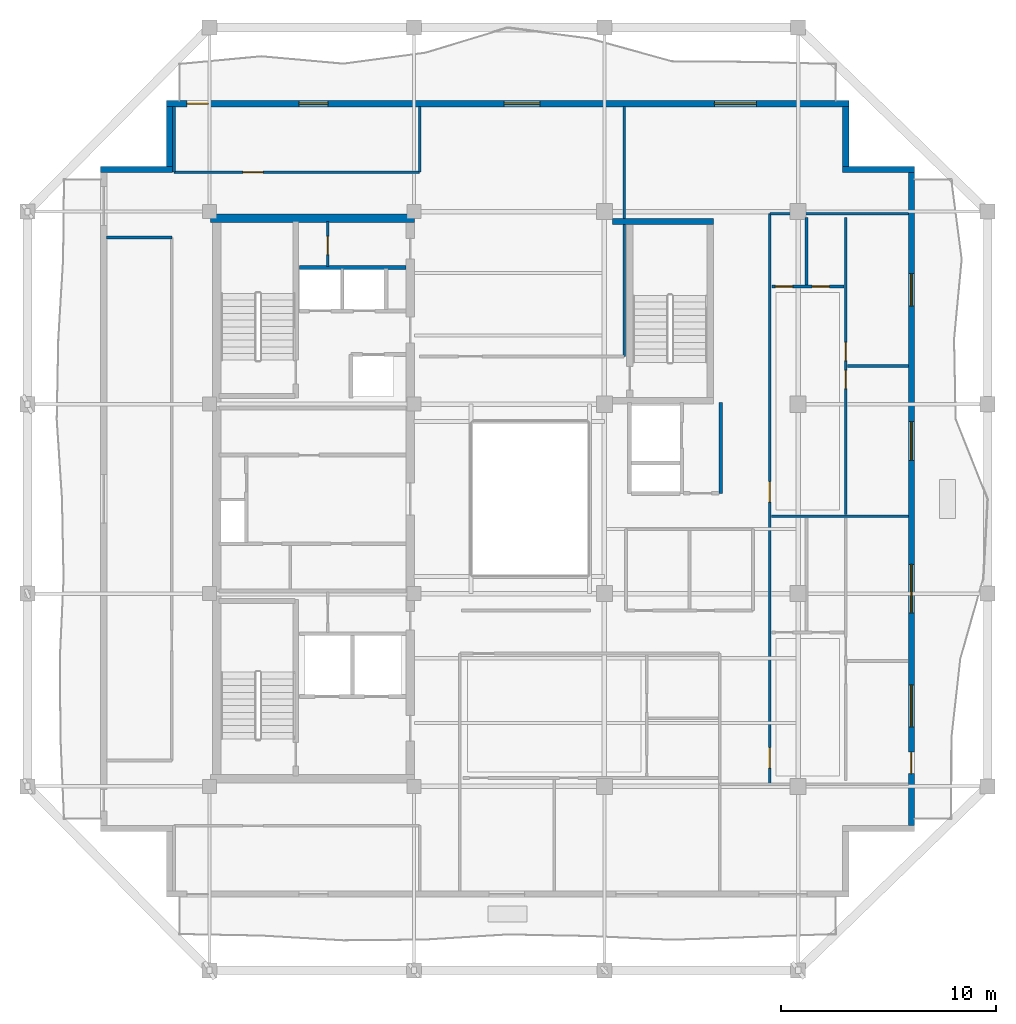
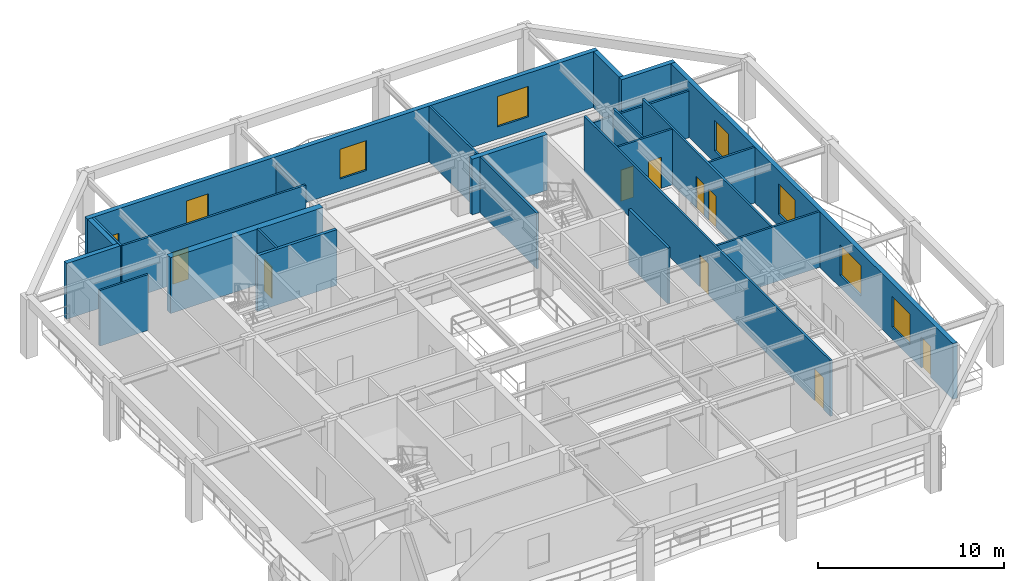
# One storey, part 5 of 10: 23 walls, 10 doors, 7 windows, 17 openings.
"""IFC4 building model written with IfcOpenShell, lengths in metres."""

from ifc_helpers import new_model, si_unit, direction, frame, frame_2d, origin, place, context, subcontext, project, spatial, rectangle, extrude, material, layer, layer_set, type_object, element, fill, save


model = new_model("IFC4")

# Units and contexts
model_context = context("Model", 3, precision=1e-05, world=origin(), true_north=direction((0.0, 1.0)))
body_context = subcontext(model_context, "Body", "Model", "MODEL_VIEW")
ifc_project = project(units=[si_unit("LENGTHUNIT", "METRE"), si_unit("AREAUNIT", "SQUARE_METRE"), si_unit("VOLUMEUNIT", "CUBIC_METRE"), si_unit("PLANEANGLEUNIT", "RADIAN"), si_unit("MASSUNIT", "GRAM", prefix="KILO")], contexts=[model_context])

# Site, building, storey
site_placement = place(None, origin())
site = spatial("IfcSite", under=ifc_project, at=site_placement, CompositionType="ELEMENT")
building_placement = place(site_placement, origin())
building = spatial("IfcBuilding", under=site, at=building_placement, Name="Kundavana Baori Tower", CompositionType="ELEMENT")
storey_placement = place(building_placement, frame((0.0, 0.0, 276.5)))
storey = spatial("IfcBuildingStorey", under=building, at=storey_placement, Name="L68", CompositionType="ELEMENT", Elevation=276.5)

# Wall
ifc_material_1 = material(Name="Concrete C50/60", Category="concrete")
ifc_layer_1 = layer(ifc_material_1, 0.39990234375, Name="WL-CORE-400")
ifc_layer_set_1 = layer_set([ifc_layer_1], Name="Concrete C50/60")
wall_type_1 = type_object("IfcWallType", Name="WL-CORE-400", PredefinedType="SHEAR", material=ifc_layer_set_1)
wall_1_placement = place(storey_placement, frame((15.5, 41.639892578125, 0.0), z_axis=(0.0, 0.0, 1.0), x_axis=(1.0, 0.0, 0.0)))
element("IfcWall", 1, at=wall_1_placement, inside=storey, type_object=wall_type_1, Name="L68 Offset Core North Shear Wall", PredefinedType="SHEAR", context=body_context, shape_type="SweptSolid", body=[
    extrude(rectangle(XDim=9.47998046875, YDim=0.39990234375, at=frame_2d((4.739990234375, 0.0))), origin(), (0.0, 0.0, 1.0), 3.659912109375),
])

# Wall, openings, door, windows
ifc_material_2 = material(Name="Red-Buff Dholpur Sandstone Cladding on Concrete C40/50", Category="masonry")
ifc_layer_2 = layer(ifc_material_2, 0.280029296875, Name="WL-EXT-SAND-280")
ifc_layer_set_2 = layer_set([ifc_layer_2], Name="Red-Buff Dholpur Sandstone Cladding on Concrete C40/50")
wall_type_2 = type_object("IfcWallType", Name="WL-EXT-SAND-280", PredefinedType="STANDARD", material=ifc_layer_set_2)
wall_2_placement = place(storey_placement, frame((48.06005859375, 13.429931640625, 0.0), z_axis=(0.0, 0.0, 1.0), x_axis=(0.0, 1.0, 0.0)))
wall_2 = element("IfcWall", 2, at=wall_2_placement, inside=storey, type_object=wall_type_2, Name="L68 Exterior Insulated Facade Wall 04", PredefinedType="STANDARD", context=body_context, shape_type="SweptSolid", body=[
    extrude(rectangle(XDim=30.340087890625, YDim=0.280029296875, at=frame_2d((15.169921875, 0.0))), origin(), (0.0, 0.0, 1.0), 3.659912109375),
])
opening_1_placement = place(wall_2_placement, frame((2.409912109375, 0.0, 0.0)))
opening_1 = element("IfcOpeningElement", 3, at=opening_1_placement, cuts=wall_2, Name="Opening BD-1", PredefinedType="OPENING", context=body_context, shape_type="SweptSolid", body=[
    extrude(rectangle(XDim=1.0, YDim=2.050048828125, at=frame_2d((0.5, 1.02490234375))), frame((0.0, 0.14990234375, 0.0), z_axis=(0.0, -1.0, 0.0), x_axis=(1.0, 0.0, 0.0)), (0.0, 0.0, 1.0), 0.300048828125),
])
opening_2_placement = place(wall_2_placement, frame((4.580078125, 0.0, 0.800048828125)))
opening_2 = element("IfcOpeningElement", 4, at=opening_2_placement, cuts=wall_2, Name="Opening W-09", PredefinedType="OPENING", context=body_context, shape_type="SweptSolid", body=[
    extrude(rectangle(XDim=1.949951171875, YDim=2.0, at=frame_2d((0.97509765625, 1.0))), frame((0.0, 0.14990234375, 0.0), z_axis=(0.0, -1.0, 0.0), x_axis=(1.0, 0.0, 0.0)), (0.0, 0.0, 1.0), 0.300048828125),
])
opening_3_placement = place(wall_2_placement, frame((9.8798828125, 0.0, 0.800048828125)))
opening_3 = element("IfcOpeningElement", 5, at=opening_3_placement, cuts=wall_2, Name="Opening W-10", PredefinedType="OPENING", context=body_context, shape_type="SweptSolid", body=[
    extrude(rectangle(XDim=2.25, YDim=2.0, at=frame_2d((1.125, 1.0))), frame((0.0, 0.14990234375, 0.0), z_axis=(0.0, -1.0, 0.0), x_axis=(1.0, 0.0, 0.0)), (0.0, 0.0, 1.0), 0.300048828125),
])
opening_4_placement = place(wall_2_placement, frame((16.9580078125, 0.0, 0.800048828125)))
opening_4 = element("IfcOpeningElement", 6, at=opening_4_placement, cuts=wall_2, Name="Opening W-01", PredefinedType="OPENING", context=body_context, shape_type="SweptSolid", body=[
    extrude(rectangle(XDim=1.800048828125, YDim=2.0, at=frame_2d((0.89990234375, 1.0))), frame((0.0, 0.14990234375, 0.0), z_axis=(0.0, -1.0, 0.0), x_axis=(1.0, 0.0, 0.0)), (0.0, 0.0, 1.0), 0.300048828125),
])
opening_5_placement = place(wall_2_placement, frame((24.133056640625, 0.0, 0.800048828125)))
opening_5 = element("IfcOpeningElement", 7, at=opening_5_placement, cuts=wall_2, Name="Opening W-02", PredefinedType="OPENING", context=body_context, shape_type="SweptSolid", body=[
    extrude(rectangle(XDim=1.5, YDim=2.0, at=frame_2d((0.75, 1.0))), frame((0.0, 0.14990234375, 0.0), z_axis=(0.0, -1.0, 0.0), x_axis=(1.0, 0.0, 0.0)), (0.0, 0.0, 1.0), 0.300048828125),
])
ifc_material_3 = material(Name="Architectural Patinated Bronze Metalwork")
door_type_1 = type_object("IfcDoorType", Name="DR-EXT-LOG-1000", OperationType="NOTDEFINED", PredefinedType="DOOR", material=ifc_material_3)
door_1_placement = place(opening_1_placement, frame((1.0, 0.0, 0.0), z_axis=(0.0, 0.0, 1.0), x_axis=(-1.0, 0.0, 0.0)))
door_1 = element("IfcDoor", 8, at=door_1_placement, inside=storey, type_object=door_type_1, Name="L68 Loggia Balcony Access Door E", OperationType="SINGLE_SWING_RIGHT", OverallHeight=2.050048828125, OverallWidth=1.0, PredefinedType="DOOR", context=body_context, shape_type="SweptSolid", body=[
    extrude(rectangle(XDim=1.0, YDim=2.050048828125, at=frame_2d((0.5, 1.02490234375))), frame((0.0, 0.02490234375, 0.0), z_axis=(0.0, -1.0, 0.0), x_axis=(1.0, 0.0, 0.0)), (0.0, 0.0, 1.0), 0.050048828125),
])
fill(opening_1, door_1)
ifc_material_4 = material(Name="Double-Glazed Solar-Control Low-E Insulated Glass", Category="glass")
window_type_1 = type_object("IfcWindowType", Name="WIN-LOG-1500x2000", PartitioningType="SINGLE_PANEL", PredefinedType="WINDOW", material=ifc_material_4)
window_1_placement = place(opening_5_placement, origin())
window_1 = element("IfcWindow", 9, at=window_1_placement, inside=storey, type_object=window_type_1, Name="L68 Recessed Loggia Window E-4", OverallHeight=2.0, OverallWidth=1.5, PartitioningType="SINGLE_PANEL", PredefinedType="WINDOW", context=body_context, shape_type="SweptSolid", body=[
    extrude(rectangle(XDim=1.5, YDim=2.0, at=frame_2d((0.75, 1.0))), frame((0.0, 0.030029296875, 0.0), z_axis=(0.0, -1.0, 0.0), x_axis=(1.0, 0.0, 0.0)), (0.0, 0.0, 1.0), 0.06005859375),
])
fill(opening_5, window_1)
ifc_material_5 = material(Name="Double-Glazed Solar-Control Low-E Insulated Glass", Category="glass")
window_type_2 = type_object("IfcWindowType", Name="WIN-LOG-1800x2000", PartitioningType="SINGLE_PANEL", PredefinedType="WINDOW", material=ifc_material_5)
window_2_placement = place(opening_4_placement, origin())
window_2 = element("IfcWindow", 10, at=window_2_placement, inside=storey, type_object=window_type_2, Name="L68 Recessed Loggia Window E-3", OverallHeight=2.0, OverallWidth=1.800048828125, PartitioningType="SINGLE_PANEL", PredefinedType="WINDOW", context=body_context, shape_type="SweptSolid", body=[
    extrude(rectangle(XDim=1.800048828125, YDim=2.0, at=frame_2d((0.89990234375, 1.0))), frame((0.0, 0.030029296875, 0.0), z_axis=(0.0, -1.0, 0.0), x_axis=(1.0, 0.0, 0.0)), (0.0, 0.0, 1.0), 0.06005859375),
])
fill(opening_4, window_2)
ifc_material_6 = material(Name="Double-Glazed Solar-Control Low-E Insulated Glass", Category="glass")
window_type_3 = type_object("IfcWindowType", Name="WIN-LOG-1950x2000", PartitioningType="SINGLE_PANEL", PredefinedType="WINDOW", material=ifc_material_6)
window_3_placement = place(opening_2_placement, origin())
window_3 = element("IfcWindow", 11, at=window_3_placement, inside=storey, type_object=window_type_3, Name="L68 Recessed Loggia Window E-1", OverallHeight=2.0, OverallWidth=1.949951171875, PartitioningType="SINGLE_PANEL", PredefinedType="WINDOW", context=body_context, shape_type="SweptSolid", body=[
    extrude(rectangle(XDim=1.949951171875, YDim=2.0, at=frame_2d((0.97509765625, 1.0))), frame((0.0, 0.030029296875, 0.0), z_axis=(0.0, -1.0, 0.0), x_axis=(1.0, 0.0, 0.0)), (0.0, 0.0, 1.0), 0.06005859375),
])
fill(opening_2, window_3)
ifc_material_7 = material(Name="Double-Glazed Solar-Control Low-E Insulated Glass", Category="glass")
window_type_4 = type_object("IfcWindowType", Name="WIN-LOG-2250x2000", PartitioningType="SINGLE_PANEL", PredefinedType="WINDOW", material=ifc_material_7)
window_4_placement = place(opening_3_placement, origin())
window_4 = element("IfcWindow", 12, at=window_4_placement, inside=storey, type_object=window_type_4, Name="L68 Recessed Loggia Window E-2", OverallHeight=2.0, OverallWidth=2.25, PartitioningType="SINGLE_PANEL", PredefinedType="WINDOW", context=body_context, shape_type="SweptSolid", body=[
    extrude(rectangle(XDim=2.25, YDim=2.0, at=frame_2d((1.125, 1.0))), frame((0.0, 0.030029296875, 0.0), z_axis=(0.0, -1.0, 0.0), x_axis=(1.0, 0.0, 0.0)), (0.0, 0.0, 1.0), 0.06005859375),
])
fill(opening_3, window_4)

# Walls
wall_3_placement = place(storey_placement, frame((48.199951171875, 43.909912109375, 0.0), z_axis=(0.0, 0.0, 1.0), x_axis=(-1.0, 0.0, 0.0)))
element("IfcWall", 13, at=wall_3_placement, inside=storey, type_object=wall_type_2, Name="L68 Exterior Insulated Facade Wall 05", PredefinedType="STANDARD", context=body_context, shape_type="SweptSolid", body=[
    extrude(rectangle(XDim=3.329833984375, YDim=0.280029296875, at=frame_2d((1.6650390625, 0.0))), origin(), (0.0, 0.0, 1.0), 3.659912109375),
])
wall_4_placement = place(storey_placement, frame((45.010009765625, 44.050048828125, 0.0), z_axis=(0.0, 0.0, 1.0), x_axis=(0.0, 1.0, 0.0)))
element("IfcWall", 14, at=wall_4_placement, inside=storey, type_object=wall_type_2, Name="L68 Exterior Insulated Facade Wall 06", PredefinedType="STANDARD", context=body_context, shape_type="SweptSolid", body=[
    extrude(rectangle(XDim=2.77001953125, YDim=0.280029296875, at=frame_2d((1.385009765625, 0.0))), origin(), (0.0, 0.0, 1.0), 3.659912109375),
])

# Wall, openings, door, windows
wall_5_placement = place(storey_placement, frame((45.14990234375, 46.9599609375, 0.0), z_axis=(0.0, 0.0, 1.0), x_axis=(-1.0, 0.0, 0.0)))
wall_5 = element("IfcWall", 15, at=wall_5_placement, inside=storey, type_object=wall_type_2, Name="L68 Exterior Insulated Facade Wall 07", PredefinedType="STANDARD", context=body_context, shape_type="SweptSolid", body=[
    extrude(rectangle(XDim=31.699951171875, YDim=0.280029296875, at=frame_2d((15.85009765625, 0.0))), origin(), (0.0, 0.0, 1.0), 3.659912109375),
])
opening_6_placement = place(wall_5_placement, frame((29.75, 0.0, 0.0)))
opening_6 = element("IfcOpeningElement", 16, at=opening_6_placement, cuts=wall_5, Name="Opening BD-1", PredefinedType="OPENING", context=body_context, shape_type="SweptSolid", body=[
    extrude(rectangle(XDim=1.0, YDim=2.050048828125, at=frame_2d((0.5, 1.02490234375))), frame((0.0, 0.14990234375, 0.0), z_axis=(0.0, -1.0, 0.0), x_axis=(1.0, 0.0, 0.0)), (0.0, 0.0, 1.0), 0.300048828125),
])
opening_7_placement = place(wall_5_placement, frame((24.18994140625, 0.0, 0.800048828125)))
opening_7 = element("IfcOpeningElement", 17, at=opening_7_placement, cuts=wall_5, Name="Opening W-07", PredefinedType="OPENING", context=body_context, shape_type="SweptSolid", body=[
    extrude(rectangle(XDim=1.35009765625, YDim=1.89990234375, at=frame_2d((0.675048828125, 0.949951171875))), frame((0.0, 0.14990234375, 0.0), z_axis=(0.0, -1.0, 0.0), x_axis=(1.0, 0.0, 0.0)), (0.0, 0.0, 1.0), 0.300048828125),
])
opening_8_placement = place(wall_5_placement, frame((14.35498046875, 0.0, 0.800048828125)))
opening_8 = element("IfcOpeningElement", 18, at=opening_8_placement, cuts=wall_5, Name="Opening W-08", PredefinedType="OPENING", context=body_context, shape_type="SweptSolid", body=[
    extrude(rectangle(XDim=1.64990234375, YDim=1.949951171875, at=frame_2d((0.824951171875, 0.97509765625))), frame((0.0, 0.14990234375, 0.0), z_axis=(0.0, -1.0, 0.0), x_axis=(1.0, 0.0, 0.0)), (0.0, 0.0, 1.0), 0.300048828125),
])
opening_9_placement = place(wall_5_placement, frame((4.294921875, 0.0, 0.800048828125)))
opening_9 = element("IfcOpeningElement", 19, at=opening_9_placement, cuts=wall_5, Name="Opening W-09", PredefinedType="OPENING", context=body_context, shape_type="SweptSolid", body=[
    extrude(rectangle(XDim=1.949951171875, YDim=2.0, at=frame_2d((0.97509765625, 1.0))), frame((0.0, 0.14990234375, 0.0), z_axis=(0.0, -1.0, 0.0), x_axis=(1.0, 0.0, 0.0)), (0.0, 0.0, 1.0), 0.300048828125),
])
door_2_placement = place(opening_6_placement, frame((1.0, 0.0, 0.0), z_axis=(0.0, 0.0, 1.0), x_axis=(-1.0, 0.0, 0.0)))
door_2 = element("IfcDoor", 20, at=door_2_placement, inside=storey, type_object=door_type_1, Name="L68 Loggia Balcony Access Door N", OperationType="SINGLE_SWING_LEFT", OverallHeight=2.050048828125, OverallWidth=1.0, PredefinedType="DOOR", context=body_context, shape_type="SweptSolid", body=[
    extrude(rectangle(XDim=1.0, YDim=2.050048828125, at=frame_2d((0.5, 1.02490234375))), frame((0.0, 0.02490234375, 0.0), z_axis=(0.0, -1.0, 0.0), x_axis=(1.0, 0.0, 0.0)), (0.0, 0.0, 1.0), 0.050048828125),
])
fill(opening_6, door_2)
ifc_material_8 = material(Name="Double-Glazed Solar-Control Low-E Insulated Glass", Category="glass")
window_type_5 = type_object("IfcWindowType", Name="WIN-LOG-1350x1900", PartitioningType="SINGLE_PANEL", PredefinedType="WINDOW", material=ifc_material_8)
window_5_placement = place(opening_7_placement, origin())
window_5 = element("IfcWindow", 21, at=window_5_placement, inside=storey, type_object=window_type_5, Name="L68 Recessed Loggia Window N-1", OverallHeight=1.89990234375, OverallWidth=1.35009765625, PartitioningType="SINGLE_PANEL", PredefinedType="WINDOW", context=body_context, shape_type="SweptSolid", body=[
    extrude(rectangle(XDim=1.35009765625, YDim=1.89990234375, at=frame_2d((0.675048828125, 0.949951171875))), frame((0.0, 0.030029296875, 0.0), z_axis=(0.0, -1.0, 0.0), x_axis=(1.0, 0.0, 0.0)), (0.0, 0.0, 1.0), 0.06005859375),
])
fill(opening_7, window_5)
ifc_material_9 = material(Name="Double-Glazed Solar-Control Low-E Insulated Glass", Category="glass")
window_type_6 = type_object("IfcWindowType", Name="WIN-LOG-1650x1950", PartitioningType="SINGLE_PANEL", PredefinedType="WINDOW", material=ifc_material_9)
window_6_placement = place(opening_8_placement, origin())
window_6 = element("IfcWindow", 22, at=window_6_placement, inside=storey, type_object=window_type_6, Name="L68 Recessed Loggia Window N-2", OverallHeight=1.949951171875, OverallWidth=1.64990234375, PartitioningType="SINGLE_PANEL", PredefinedType="WINDOW", context=body_context, shape_type="SweptSolid", body=[
    extrude(rectangle(XDim=1.64990234375, YDim=1.949951171875, at=frame_2d((0.824951171875, 0.97509765625))), frame((0.0, 0.030029296875, 0.0), z_axis=(0.0, -1.0, 0.0), x_axis=(1.0, 0.0, 0.0)), (0.0, 0.0, 1.0), 0.06005859375),
])
fill(opening_8, window_6)
window_7_placement = place(opening_9_placement, origin())
window_7 = element("IfcWindow", 23, at=window_7_placement, inside=storey, type_object=window_type_3, Name="L68 Recessed Loggia Window N-3", OverallHeight=2.0, OverallWidth=1.949951171875, PartitioningType="SINGLE_PANEL", PredefinedType="WINDOW", context=body_context, shape_type="SweptSolid", body=[
    extrude(rectangle(XDim=1.949951171875, YDim=2.0, at=frame_2d((0.97509765625, 1.0))), frame((0.0, 0.030029296875, 0.0), z_axis=(0.0, -1.0, 0.0), x_axis=(1.0, 0.0, 0.0)), (0.0, 0.0, 1.0), 0.06005859375),
])
fill(opening_9, window_7)

# Walls
wall_6_placement = place(storey_placement, frame((13.590087890625, 46.820068359375, 0.0), z_axis=(0.0, 0.0, 1.0), x_axis=(0.0, -1.0, 0.0)))
element("IfcWall", 24, at=wall_6_placement, inside=storey, type_object=wall_type_2, Name="L68 Exterior Insulated Facade Wall 08", PredefinedType="STANDARD", context=body_context, shape_type="SweptSolid", body=[
    extrude(rectangle(XDim=2.77001953125, YDim=0.280029296875, at=frame_2d((1.385009765625, 0.0))), origin(), (0.0, 0.0, 1.0), 3.659912109375),
])
wall_7_placement = place(storey_placement, frame((13.72998046875, 43.909912109375, 0.0), z_axis=(0.0, 0.0, 1.0), x_axis=(-1.0, 0.0, 0.0)))
element("IfcWall", 25, at=wall_7_placement, inside=storey, type_object=wall_type_2, Name="L68 Exterior Insulated Facade Wall 09", PredefinedType="STANDARD", context=body_context, shape_type="SweptSolid", body=[
    extrude(rectangle(XDim=3.330078125, YDim=0.280029296875, at=frame_2d((1.6650390625, 0.0))), origin(), (0.0, 0.0, 1.0), 3.659912109375),
])

# Wall, opening, door
ifc_material_10 = material(Name="Acoustic Gypsum Plasterboard on Galvanised Steel Studs", Category="steel")
ifc_layer_3 = layer(ifc_material_10, 0.1201171875, Name="WL-PART-120")
ifc_layer_set_3 = layer_set([ifc_layer_3], Name="Acoustic Gypsum Plasterboard on Galvanised Steel Studs")
wall_type_3 = type_object("IfcWallType", Name="WL-PART-120", PredefinedType="PARTITIONING", material=ifc_layer_set_3)
wall_8_placement = place(storey_placement, frame((20.949951171875, 39.39990234375, 0.0), z_axis=(0.0, 0.0, 1.0), x_axis=(0.0, 1.0, 0.0)))
wall_8 = element("IfcWall", 26, at=wall_8_placement, inside=storey, type_object=wall_type_3, Name="WL-L68-CSRV-D2", PredefinedType="PARTITIONING", context=body_context, shape_type="SweptSolid", body=[
    extrude(rectangle(XDim=2.080078125, YDim=0.1201171875, at=frame_2d((1.0400390625, 0.0))), origin(), (0.0, 0.0, 1.0), 3.659912109375),
])
opening_10_placement = place(wall_8_placement, frame((0.550048828125, 0.0, 0.0)))
opening_10 = element("IfcOpeningElement", 27, at=opening_10_placement, cuts=wall_8, Name="Opening FD-085", PredefinedType="OPENING", context=body_context, shape_type="SweptSolid", body=[
    extrude(rectangle(XDim=0.85009765625, YDim=2.06005859375, at=frame_2d((0.425048828125, 1.030029296875))), frame((0.0, 0.070068359375, 0.0), z_axis=(0.0, -1.0, 0.0), x_axis=(1.0, 0.0, 0.0)), (0.0, 0.0, 1.0), 0.14013671875),
])
ifc_material_11 = material(Name="Galvanised Steel Fire-Rated Door Leaf", Category="steel")
door_type_2 = type_object("IfcDoorType", Name="DR-FD60-850", OperationType="NOTDEFINED", PredefinedType="DOOR", material=ifc_material_11)
door_3_placement = place(opening_10_placement, origin())
door_3 = element("IfcDoor", 28, at=door_3_placement, inside=storey, type_object=door_type_2, Name="DR-L68-CSRV1", OperationType="SINGLE_SWING_RIGHT", OverallHeight=2.06005859375, OverallWidth=0.85009765625, PredefinedType="DOOR", context=body_context, shape_type="SweptSolid", body=[
    extrude(rectangle(XDim=0.85009765625, YDim=2.06005859375, at=frame_2d((0.425048828125, 1.030029296875))), frame((0.0, 0.02490234375, 0.0), z_axis=(0.0, -1.0, 0.0), x_axis=(1.0, 0.0, 0.0)), (0.0, 0.0, 1.0), 0.050048828125),
])
fill(opening_10, door_3)

# Walls
ifc_material_12 = material(Name="Fire-Rated Gypsum Drywall on Galvanised Steel Studs", Category="steel")
ifc_layer_4 = layer(ifc_material_12, 0.14990234375, Name="WL-PART-150")
ifc_layer_set_4 = layer_set([ifc_layer_4], Name="Fire-Rated Gypsum Drywall on Galvanised Steel Studs")
wall_type_4 = type_object("IfcWallType", Name="WL-PART-150", PredefinedType="PARTITIONING", material=ifc_layer_set_4)
wall_9_placement = place(storey_placement, frame((39.199951171875, 28.860107421875, 0.0), z_axis=(0.0, 0.0, 1.0), x_axis=(0.0, 1.0, 0.0)))
element("IfcWall", 29, at=wall_9_placement, inside=storey, type_object=wall_type_4, Name="WL-L68-SVLOB-E", PredefinedType="PARTITIONING", context=body_context, shape_type="SweptSolid", body=[
    extrude(rectangle(XDim=4.219970703125, YDim=0.14990234375, at=frame_2d((2.10986328125, 0.0))), origin(), (0.0, 0.0, 1.0), 3.659912109375),
])
ifc_material_13 = material(Name="Autoclaved Aerated Concrete Blockwork Masonry", Category="masonry")
ifc_layer_5 = layer(ifc_material_13, 0.179931640625, Name="WL-SHAFT-180")
ifc_layer_set_5 = layer_set([ifc_layer_5], Name="Autoclaved Aerated Concrete Blockwork Masonry")
wall_type_5 = type_object("IfcWallType", Name="WL-SHAFT-180", PredefinedType="SOLIDWALL", material=ifc_layer_set_5)
wall_10_placement = place(storey_placement, frame((19.639892578125, 39.360107421875, 0.0), z_axis=(0.0, 0.0, 1.0), x_axis=(1.0, 0.0, 0.0)))
element("IfcWall", 30, at=wall_10_placement, inside=storey, type_object=wall_type_5, Name="WL-L68-HRLOB-TOP", PredefinedType="SOLIDWALL", context=body_context, shape_type="SweptSolid", body=[
    extrude(rectangle(XDim=4.940185546875, YDim=0.179931640625, at=frame_2d((2.47021484375, 0.0))), origin(), (0.0, 0.0, 1.0), 3.659912109375),
])
ifc_material_14 = material(Name="Concrete C50/60", Category="concrete")
ifc_layer_6 = layer(ifc_material_14, 0.300048828125, Name="WL-ST3-300")
ifc_layer_set_6 = layer_set([ifc_layer_6], Name="Concrete C50/60")
wall_type_6 = type_object("IfcWallType", Name="WL-ST3-300", PredefinedType="SHEAR", material=ifc_layer_set_6)
wall_11_placement = place(storey_placement, frame((34.175048828125, 41.489990234375, 0.0), z_axis=(0.0, 0.0, 1.0), x_axis=(1.0, 0.0, 0.0)))
element("IfcWall", 31, at=wall_11_placement, inside=storey, type_object=wall_type_6, Name="L68 Stair ST3 North Shear Wall", PredefinedType="SHEAR", context=body_context, shape_type="SweptSolid", body=[
    extrude(rectangle(XDim=4.695068359375, YDim=0.300048828125, at=frame_2d((2.34765625, 0.0))), origin(), (0.0, 0.0, 1.0), 3.659912109375),
])

# Wall, opening, door
ifc_material_15 = material(Name="Autoclaved Aerated Concrete Blockwork Masonry", Category="masonry")
ifc_layer_7 = layer(ifc_material_15, 0.125, Name="WL-WET-120")
ifc_layer_set_7 = layer_set([ifc_layer_7], Name="Autoclaved Aerated Concrete Blockwork Masonry")
wall_type_7 = type_object("IfcWallType", Name="WL-WET-120", PredefinedType="PLUMBINGWALL", material=ifc_layer_set_7)
wall_12_placement = place(storey_placement, frame((13.800048828125, 43.780029296875, 0.0), z_axis=(0.0, 0.0, 1.0), x_axis=(1.0, 0.0, 0.0)))
wall_12 = element("IfcWall", 32, at=wall_12_placement, inside=storey, type_object=wall_type_7, Name="WL-L68-RNC", PredefinedType="PLUMBINGWALL", context=body_context, shape_type="SweptSolid", body=[
    extrude(rectangle(XDim=11.419921875, YDim=0.125, at=frame_2d((5.7099609375, 0.0))), origin(), (0.0, 0.0, 1.0), 3.659912109375),
])
opening_11_placement = place(wall_12_placement, frame((3.199951171875, 0.0, 0.0)))
opening_11 = element("IfcOpeningElement", 33, at=opening_11_placement, cuts=wall_12, Name="Opening ID-095", PredefinedType="OPENING", context=body_context, shape_type="SweptSolid", body=[
    extrude(rectangle(XDim=0.949951171875, YDim=2.080078125, at=frame_2d((0.47509765625, 1.0400390625))), frame((0.0, 0.072509765625, 0.0), z_axis=(0.0, -1.0, 0.0), x_axis=(1.0, 0.0, 0.0)), (0.0, 0.0, 1.0), 0.14501953125),
])
ifc_material_16 = material(Name="Engineered Teak Solid-Core Timber Veneer", Category="wood")
door_type_3 = type_object("IfcDoorType", Name="DR-INT-950", OperationType="NOTDEFINED", PredefinedType="DOOR", material=ifc_material_16)
door_4_placement = place(opening_11_placement, origin())
door_4 = element("IfcDoor", 34, at=door_4_placement, inside=storey, type_object=door_type_3, Name="DR-L68-RMNW", OperationType="SINGLE_SWING_RIGHT", OverallHeight=2.080078125, OverallWidth=0.949951171875, PredefinedType="DOOR", context=body_context, shape_type="SweptSolid", body=[
    extrude(rectangle(XDim=0.949951171875, YDim=2.080078125, at=frame_2d((0.47509765625, 1.0400390625))), frame((0.0, 0.02490234375, 0.0), z_axis=(0.0, -1.0, 0.0), x_axis=(1.0, 0.0, 0.0)), (0.0, 0.0, 1.0), 0.050048828125),
])
fill(opening_11, door_4)

# Walls
wall_13_placement = place(storey_placement, frame((13.800048828125, 43.780029296875, 0.0), z_axis=(0.0, 0.0, 1.0), x_axis=(0.0, 1.0, 0.0)))
element("IfcWall", 35, at=wall_13_placement, inside=storey, type_object=wall_type_7, Name="WL-L68-RNCW", PredefinedType="PLUMBINGWALL", context=body_context, shape_type="SweptSolid", body=[
    extrude(rectangle(XDim=3.0400390625, YDim=0.125, at=frame_2d((1.52001953125, 0.0))), origin(), (0.0, 0.0, 1.0), 3.659912109375),
])
wall_14_placement = place(storey_placement, frame((25.219970703125, 43.780029296875, 0.0), z_axis=(0.0, 0.0, 1.0), x_axis=(0.0, 1.0, 0.0)))
element("IfcWall", 36, at=wall_14_placement, inside=storey, type_object=wall_type_7, Name="WL-L68-RNCE", PredefinedType="PLUMBINGWALL", context=body_context, shape_type="SweptSolid", body=[
    extrude(rectangle(XDim=3.0400390625, YDim=0.125, at=frame_2d((1.52001953125, 0.0))), origin(), (0.0, 0.0, 1.0), 3.2099609375),
])
wall_15_placement = place(storey_placement, frame((10.679931640625, 40.75, 0.0), z_axis=(0.0, 0.0, 1.0), x_axis=(1.0, 0.0, 0.0)))
element("IfcWall", 37, at=wall_15_placement, inside=storey, type_object=wall_type_7, Name="WL-L68-RWN", PredefinedType="PLUMBINGWALL", context=body_context, shape_type="SweptSolid", body=[
    extrude(rectangle(XDim=3.02001953125, YDim=0.125, at=frame_2d((1.510009765625, 0.0))), origin(), (0.0, 0.0, 1.0), 3.659912109375),
])
wall_16_placement = place(storey_placement, frame((34.719970703125, 35.219970703125, 0.0), z_axis=(0.0, 0.0, 1.0), x_axis=(0.0, 1.0, 0.0)))
element("IfcWall", 38, at=wall_16_placement, inside=storey, type_object=wall_type_7, Name="WL-L68-RNEND", PredefinedType="PLUMBINGWALL", context=body_context, shape_type="SweptSolid", body=[
    extrude(rectangle(XDim=11.60009765625, YDim=0.125, at=frame_2d((5.800048828125, 0.0))), origin(), (0.0, 0.0, 1.0), 3.659912109375),
])

# Wall, openings, doors
wall_17_placement = place(storey_placement, frame((41.47998046875, 15.35009765625, 0.0), z_axis=(0.0, 0.0, 1.0), x_axis=(0.0, 1.0, 0.0)))
wall_17 = element("IfcWall", 39, at=wall_17_placement, inside=storey, type_object=wall_type_7, Name="WL-L68-RE", PredefinedType="PLUMBINGWALL", context=body_context, shape_type="SweptSolid", body=[
    extrude(rectangle(XDim=26.5, YDim=0.125, at=frame_2d((13.25, 0.0))), origin(), (0.0, 0.0, 1.0), 3.659912109375),
])
opening_12_placement = place(wall_17_placement, frame((0.75, 0.0, 0.0)))
opening_12 = element("IfcOpeningElement", 40, at=opening_12_placement, cuts=wall_17, Name="Opening FD-095", PredefinedType="OPENING", context=body_context, shape_type="SweptSolid", body=[
    extrude(rectangle(XDim=0.949951171875, YDim=2.10009765625, at=frame_2d((0.47509765625, 1.050048828125))), frame((0.0, 0.072509765625, 0.0), z_axis=(0.0, -1.0, 0.0), x_axis=(1.0, 0.0, 0.0)), (0.0, 0.0, 1.0), 0.14501953125),
])
opening_13_placement = place(wall_17_placement, frame((13.10009765625, 0.0, 0.0)))
opening_13 = element("IfcOpeningElement", 41, at=opening_13_placement, cuts=wall_17, Name="Opening FD-095", PredefinedType="OPENING", context=body_context, shape_type="SweptSolid", body=[
    extrude(rectangle(XDim=0.949951171875, YDim=2.10009765625, at=frame_2d((0.47509765625, 1.050048828125))), frame((0.0, 0.072509765625, 0.0), z_axis=(0.0, -1.0, 0.0), x_axis=(1.0, 0.0, 0.0)), (0.0, 0.0, 1.0), 0.14501953125),
])
ifc_material_17 = material(Name="Engineered Teak Fire-Rated Timber Door Leaf", Category="wood")
door_type_4 = type_object("IfcDoorType", Name="DR-FD60-950", OperationType="NOTDEFINED", PredefinedType="DOOR", material=ifc_material_17)
door_5_placement = place(opening_12_placement, origin())
door_5 = element("IfcDoor", 42, at=door_5_placement, inside=storey, type_object=door_type_4, Name="DR-L68-E1-ENT", OperationType="SINGLE_SWING_LEFT", OverallHeight=2.10009765625, OverallWidth=0.949951171875, PredefinedType="DOOR", context=body_context, shape_type="SweptSolid", body=[
    extrude(rectangle(XDim=0.949951171875, YDim=2.10009765625, at=frame_2d((0.47509765625, 1.050048828125))), frame((0.0, 0.02490234375, 0.0), z_axis=(0.0, -1.0, 0.0), x_axis=(1.0, 0.0, 0.0)), (0.0, 0.0, 1.0), 0.050048828125),
])
fill(opening_12, door_5)
door_6_placement = place(opening_13_placement, origin())
door_6 = element("IfcDoor", 43, at=door_6_placement, inside=storey, type_object=door_type_4, Name="DR-L68-E2-ENT", OperationType="SINGLE_SWING_LEFT", OverallHeight=2.10009765625, OverallWidth=0.949951171875, PredefinedType="DOOR", context=body_context, shape_type="SweptSolid", body=[
    extrude(rectangle(XDim=0.949951171875, YDim=2.10009765625, at=frame_2d((0.47509765625, 1.050048828125))), frame((0.0, 0.02490234375, 0.0), z_axis=(0.0, -1.0, 0.0), x_axis=(1.0, 0.0, 0.0)), (0.0, 0.0, 1.0), 0.050048828125),
])
fill(opening_13, door_6)

# Walls
wall_18_placement = place(storey_placement, frame((41.47998046875, 41.85009765625, 0.0), z_axis=(0.0, 0.0, 1.0), x_axis=(1.0, 0.0, 0.0)))
element("IfcWall", 44, at=wall_18_placement, inside=storey, type_object=wall_type_7, Name="WL-L68-REN", PredefinedType="PLUMBINGWALL", context=body_context, shape_type="SweptSolid", body=[
    extrude(rectangle(XDim=6.43994140625, YDim=0.125, at=frame_2d((3.219970703125, 0.0))), origin(), (0.0, 0.0, 1.0), 3.06005859375),
])
wall_19_placement = place(storey_placement, frame((41.56005859375, 27.800048828125, 0.0), z_axis=(0.0, 0.0, 1.0), x_axis=(1.0, 0.0, 0.0)))
element("IfcWall", 45, at=wall_19_placement, inside=storey, type_object=wall_type_7, Name="WL-L68-RED1", PredefinedType="PLUMBINGWALL", context=body_context, shape_type="SweptSolid", body=[
    extrude(rectangle(XDim=6.35986328125, YDim=0.125, at=frame_2d((3.179931640625, 0.0))), origin(), (0.0, 0.0, 1.0), 3.659912109375),
])

# Wall, openings, doors
wall_20_placement = place(storey_placement, frame((45.00390625, 27.8798828125, 0.0), z_axis=(0.0, 0.0, 1.0), x_axis=(0.0, 1.0, 0.0)))
wall_20 = element("IfcWall", 46, at=wall_20_placement, inside=storey, type_object=wall_type_7, Name="WL-L68-E2-VT", PredefinedType="PLUMBINGWALL", context=body_context, shape_type="SweptSolid", body=[
    extrude(rectangle(XDim=13.7900390625, YDim=0.125, at=frame_2d((6.89501953125, 0.0))), origin(), (0.0, 0.0, 1.0), 3.659912109375),
])
opening_14_placement = place(wall_20_placement, frame((5.844970703125, 0.0, 0.0)))
opening_14 = element("IfcOpeningElement", 47, at=opening_14_placement, cuts=wall_20, Name="Opening ID-085", PredefinedType="OPENING", context=body_context, shape_type="SweptSolid", body=[
    extrude(rectangle(XDim=0.85009765625, YDim=2.080078125, at=frame_2d((0.425048828125, 1.0400390625))), frame((0.0, 0.072509765625, 0.0), z_axis=(0.0, -1.0, 0.0), x_axis=(1.0, 0.0, 0.0)), (0.0, 0.0, 1.0), 0.14501953125),
])
opening_15_placement = place(wall_20_placement, frame((7.14501953125, 0.0, 0.0)))
opening_15 = element("IfcOpeningElement", 48, at=opening_15_placement, cuts=wall_20, Name="Opening ID-085", PredefinedType="OPENING", context=body_context, shape_type="SweptSolid", body=[
    extrude(rectangle(XDim=0.85009765625, YDim=2.080078125, at=frame_2d((0.425048828125, 1.0400390625))), frame((0.0, 0.072509765625, 0.0), z_axis=(0.0, -1.0, 0.0), x_axis=(1.0, 0.0, 0.0)), (0.0, 0.0, 1.0), 0.14501953125),
])
ifc_material_18 = material(Name="Engineered Teak Solid-Core Timber Veneer", Category="wood")
door_type_5 = type_object("IfcDoorType", Name="DR-INT-850", OperationType="NOTDEFINED", PredefinedType="DOOR", material=ifc_material_18)
door_7_placement = place(opening_14_placement, origin())
door_7 = element("IfcDoor", 49, at=door_7_placement, inside=storey, type_object=door_type_5, Name="DR-L68-E2-B1", OperationType="SINGLE_SWING_LEFT", OverallHeight=2.080078125, OverallWidth=0.85009765625, PredefinedType="DOOR", context=body_context, shape_type="SweptSolid", body=[
    extrude(rectangle(XDim=0.85009765625, YDim=2.080078125, at=frame_2d((0.425048828125, 1.0400390625))), frame((0.0, 0.02490234375, 0.0), z_axis=(0.0, -1.0, 0.0), x_axis=(1.0, 0.0, 0.0)), (0.0, 0.0, 1.0), 0.050048828125),
])
fill(opening_14, door_7)
door_8_placement = place(opening_15_placement, origin())
door_8 = element("IfcDoor", 50, at=door_8_placement, inside=storey, type_object=door_type_5, Name="DR-L68-E2-B2", OperationType="SINGLE_SWING_RIGHT", OverallHeight=2.080078125, OverallWidth=0.85009765625, PredefinedType="DOOR", context=body_context, shape_type="SweptSolid", body=[
    extrude(rectangle(XDim=0.85009765625, YDim=2.080078125, at=frame_2d((0.425048828125, 1.0400390625))), frame((0.0, 0.02490234375, 0.0), z_axis=(0.0, -1.0, 0.0), x_axis=(1.0, 0.0, 0.0)), (0.0, 0.0, 1.0), 0.050048828125),
])
fill(opening_15, door_8)

wall_21_placement = place(storey_placement, frame((41.580078125, 38.469970703125, 0.0), z_axis=(0.0, 0.0, 1.0), x_axis=(1.0, 0.0, 0.0)))
wall_21 = element("IfcWall", 51, at=wall_21_placement, inside=storey, type_object=wall_type_7, Name="WL-L68-E2-KH", PredefinedType="PLUMBINGWALL", context=body_context, shape_type="SweptSolid", body=[
    extrude(rectangle(XDim=3.343994140625, YDim=0.125, at=frame_2d((1.671875, 0.0))), origin(), (0.0, 0.0, 1.0), 3.659912109375),
])
opening_16_placement = place(wall_21_placement, frame((0.159912109375, 0.0, 0.0)))
opening_16 = element("IfcOpeningElement", 52, at=opening_16_placement, cuts=wall_21, Name="Opening WD-080", PredefinedType="OPENING", context=body_context, shape_type="SweptSolid", body=[
    extrude(rectangle(XDim=0.800048828125, YDim=2.050048828125, at=frame_2d((0.39990234375, 1.02490234375))), frame((0.0, 0.072509765625, 0.0), z_axis=(0.0, -1.0, 0.0), x_axis=(1.0, 0.0, 0.0)), (0.0, 0.0, 1.0), 0.14501953125),
])
opening_17_placement = place(wall_21_placement, frame((1.864990234375, 0.0, 0.0)))
opening_17 = element("IfcOpeningElement", 53, at=opening_17_placement, cuts=wall_21, Name="Opening WD-080", PredefinedType="OPENING", context=body_context, shape_type="SweptSolid", body=[
    extrude(rectangle(XDim=0.800048828125, YDim=2.050048828125, at=frame_2d((0.39990234375, 1.02490234375))), frame((0.0, 0.072509765625, 0.0), z_axis=(0.0, -1.0, 0.0), x_axis=(1.0, 0.0, 0.0)), (0.0, 0.0, 1.0), 0.14501953125),
])
ifc_material_19 = material(Name="Engineered Teak Solid-Core Timber Veneer", Category="wood")
door_type_6 = type_object("IfcDoorType", Name="DR-WET-800", OperationType="NOTDEFINED", PredefinedType="DOOR", material=ifc_material_19)
door_9_placement = place(opening_16_placement, origin())
door_9 = element("IfcDoor", 54, at=door_9_placement, inside=storey, type_object=door_type_6, Name="DR-L68-E2-BT", OperationType="SINGLE_SWING_LEFT", OverallHeight=2.050048828125, OverallWidth=0.800048828125, PredefinedType="DOOR", context=body_context, shape_type="SweptSolid", body=[
    extrude(rectangle(XDim=0.800048828125, YDim=2.050048828125, at=frame_2d((0.39990234375, 1.02490234375))), frame((0.0, 0.02490234375, 0.0), z_axis=(0.0, -1.0, 0.0), x_axis=(1.0, 0.0, 0.0)), (0.0, 0.0, 1.0), 0.050048828125),
])
fill(opening_16, door_9)
door_10_placement = place(opening_17_placement, origin())
door_10 = element("IfcDoor", 55, at=door_10_placement, inside=storey, type_object=door_type_6, Name="DR-L68-E2-KT", OperationType="SINGLE_SWING_RIGHT", OverallHeight=2.050048828125, OverallWidth=0.800048828125, PredefinedType="DOOR", context=body_context, shape_type="SweptSolid", body=[
    extrude(rectangle(XDim=0.800048828125, YDim=2.050048828125, at=frame_2d((0.39990234375, 1.02490234375))), frame((0.0, 0.02490234375, 0.0), z_axis=(0.0, -1.0, 0.0), x_axis=(1.0, 0.0, 0.0)), (0.0, 0.0, 1.0), 0.050048828125),
])
fill(opening_17, door_10)

# Walls
wall_22_placement = place(storey_placement, frame((43.18505859375, 38.550048828125, 0.0), z_axis=(0.0, 0.0, 1.0), x_axis=(0.0, 1.0, 0.0)))
element("IfcWall", 56, at=wall_22_placement, inside=storey, type_object=wall_type_7, Name="WL-L68-E2-BV", PredefinedType="PLUMBINGWALL", context=body_context, shape_type="SweptSolid", body=[
    extrude(rectangle(XDim=3.119873046875, YDim=0.125, at=frame_2d((1.56005859375, 0.0))), origin(), (0.0, 0.0, 1.0), 3.659912109375),
])
wall_23_placement = place(storey_placement, frame((45.083984375, 34.77490234375, 0.0), z_axis=(0.0, 0.0, 1.0), x_axis=(1.0, 0.0, 0.0)))
element("IfcWall", 57, at=wall_23_placement, inside=storey, type_object=wall_type_7, Name="WL-L68-E2-BDH", PredefinedType="PLUMBINGWALL", context=body_context, shape_type="SweptSolid", body=[
    extrude(rectangle(XDim=2.8359375, YDim=0.125, at=frame_2d((1.41796875, 0.0))), origin(), (0.0, 0.0, 1.0), 3.659912109375),
])

save(model, "model.ifc")
